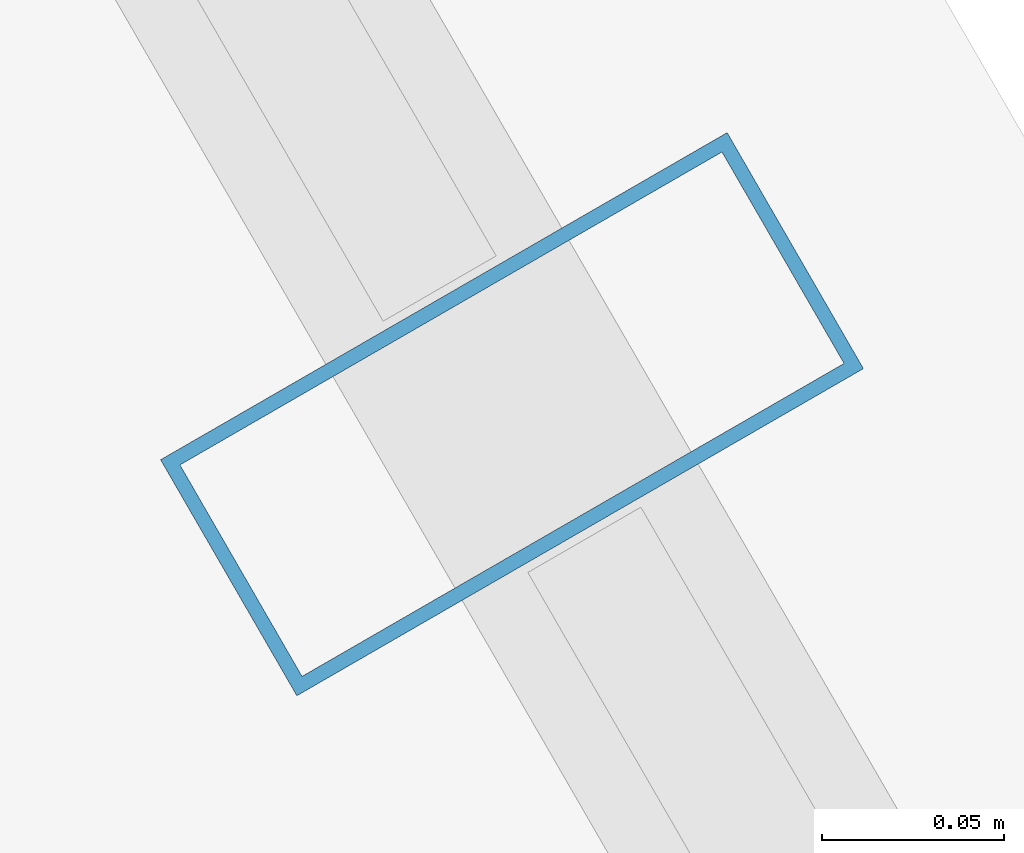
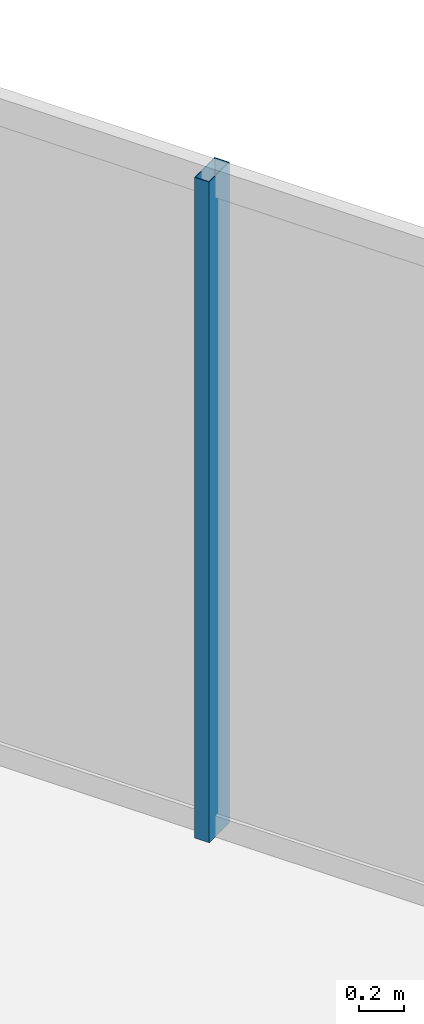
# One storey, part 17 of 32: 1 member, 1 element without a shape of its own.
"""IFC4 building model written with IfcOpenShell, lengths in metres."""

from ifc_helpers import new_model, si_unit, direction, frame, origin, origin_2d, place, context, subcontext, project, spatial, hollow_rectangle, extrude, material, layer, layer_set, material_profile, profile_set, type_object, element, aggregate, save


model = new_model("IFC4")

# Units and contexts
model_context = context("Model", 3, precision=1e-05, world=origin(), true_north=direction((0.0, 1.0)))
body_context = subcontext(model_context, "Body", "Model", "MODEL_VIEW")
ifc_project = project(units=[si_unit("LENGTHUNIT", "METRE"), si_unit("AREAUNIT", "SQUARE_METRE"), si_unit("VOLUMEUNIT", "CUBIC_METRE"), si_unit("PLANEANGLEUNIT", "RADIAN"), si_unit("MASSUNIT", "GRAM", prefix="KILO")], contexts=[model_context])

# Site, building, storey
site_placement = place(None, origin())
site = spatial("IfcSite", under=ifc_project, at=site_placement, CompositionType="ELEMENT")
building_placement = place(site_placement, origin())
building = spatial("IfcBuilding", under=site, at=building_placement, Name="Ndaravel Arena Tower", CompositionType="ELEMENT")
storey_placement = place(building_placement, frame((0.0, 0.0, 259.800048828125)))
storey = spatial("IfcBuildingStorey", under=building, at=storey_placement, Name="L63", CompositionType="ELEMENT", Elevation=259.800048828125)

# Curtain wall, member
ifc_material_1 = material(Name="Aluminium", Category="aluminium")
ifc_layer = layer(ifc_material_1, 0.179931640625)
ifc_layer_set = layer_set([ifc_layer], Name="Aluminium")
curtain_wall_type = type_object("IfcCurtainWallType", Name="CW-SYS-03", PredefinedType="NOTDEFINED", material=ifc_layer_set)
curtain_wall_placement = place(storey_placement, origin())
curtain_wall = element("IfcCurtainWall", 1, at=curtain_wall_placement, inside=storey, type_object=curtain_wall_type, Name="L63 Faceted Crystal Curtain Wall CW-L63-E03", PredefinedType="NOTDEFINED")
ifc_material_2 = material(Name="Aluminium", Category="aluminium")
ifc_material_profile = material_profile(ifc_material_2, hollow_rectangle(XDim=0.074951171875, YDim=0.179931640625, WallThickness=0.00390625, at=origin_2d()), Name="CW MULLION 75x180x4")
ifc_profile_set = profile_set([ifc_material_profile], Name="Aluminium")
member_type = type_object("IfcMemberType", Name="MEM-CW-MUL180", PredefinedType="MULLION", material=ifc_profile_set)
member_placement = place(storey_placement, frame((49.414306640625, 37.057373046875, 0.0), z_axis=(0.0, 0.0, 1.0), x_axis=(-0.5, 0.866025403784, 0.0)))
member = element("IfcMember", 2, at=member_placement, type_object=member_type, Name="CW-L63-E03 Mullion 07", PredefinedType="MULLION", context=body_context, shape_type="SweptSolid", body=[
    extrude(hollow_rectangle(XDim=0.074951171875, YDim=0.179931640625, WallThickness=0.00390625, at=origin_2d()), origin(), (0.0, 0.0, 1.0), 3.579833984375),
])
aggregate(curtain_wall, [member])

save(model, "model.ifc")
